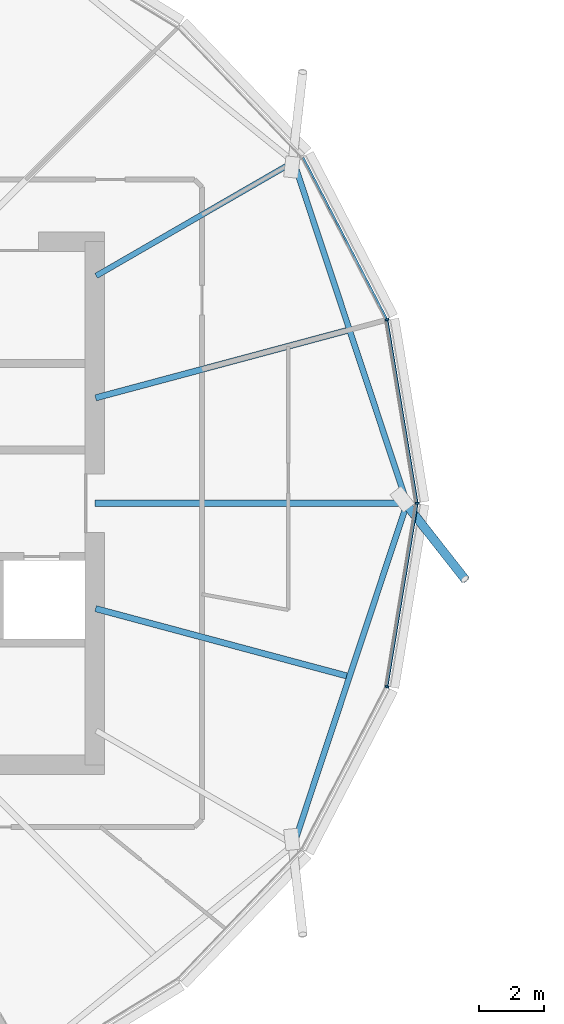
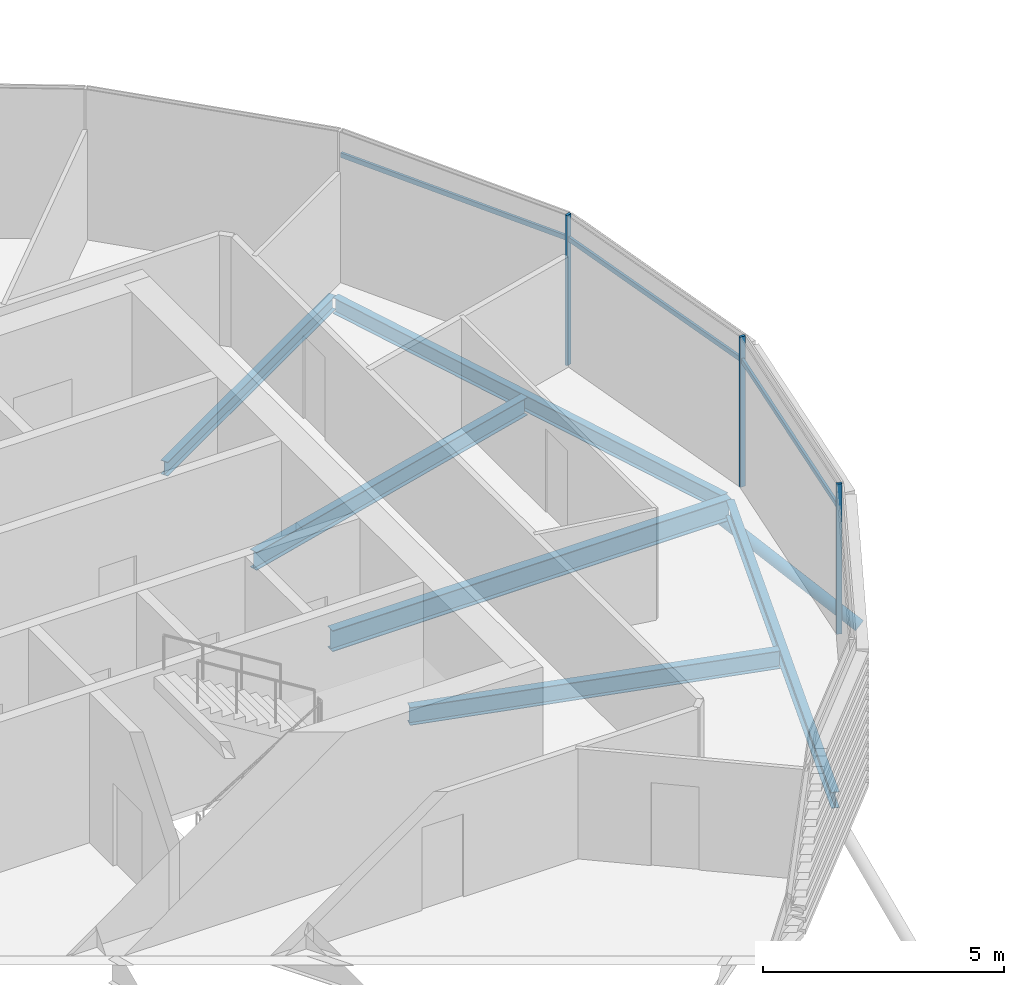
# One storey, part 8 of 36: 7 members, 6 beams, 1 element without a shape of its own.
"""IFC4 building model written with IfcOpenShell, lengths in metres."""

from ifc_helpers import new_model, si_unit, direction, frame, origin, origin_2d, place, context, subcontext, project, spatial, rectangle, hollow_circle, i_section, extrude, clip, halfspace, material, material_profile, profile_set, type_object, element, aggregate, save


model = new_model("IFC4")

# Units and contexts
model_context = context("Model", 3, precision=1e-05, world=origin(), true_north=direction((0.0, 1.0)))
body_context = subcontext(model_context, "Body", "Model", "MODEL_VIEW")
ifc_project = project(units=[si_unit("LENGTHUNIT", "METRE"), si_unit("AREAUNIT", "SQUARE_METRE"), si_unit("VOLUMEUNIT", "CUBIC_METRE"), si_unit("PLANEANGLEUNIT", "RADIAN"), si_unit("MASSUNIT", "GRAM", prefix="KILO")], contexts=[model_context])

# Site, building, storey
site_placement = place(None, origin())
site = spatial("IfcSite", under=ifc_project, at=site_placement, CompositionType="ELEMENT")
building_placement = place(site_placement, origin())
building = spatial("IfcBuilding", under=site, at=building_placement, Name="Rimbun Link Towers", CompositionType="ELEMENT")
storey_placement = place(building_placement, frame((0.0, 0.0, 189.300048828125)))
storey = spatial("IfcBuildingStorey", under=building, at=storey_placement, Name="L46", CompositionType="ELEMENT", Elevation=189.300048828125)

# Curtain wall, members
ifc_material_1 = material(Name="Aluminium 6063-T6 and low-iron glass", Category="aluminium")
curtain_wall_type = type_object("IfcCurtainWallType", Name="CW1-Z3 unitised vision wall (zone 3)", PredefinedType="NOTDEFINED", material=ifc_material_1)
curtain_wall_placement = place(storey_placement, origin())
curtain_wall = element("IfcCurtainWall", 1, at=curtain_wall_placement, inside=storey, type_object=curtain_wall_type, Name="CW1 L46 T1", PredefinedType="NOTDEFINED")
ifc_material_2 = material(Name="Aluminium 6063-T6", Category="aluminium")
ifc_material_profile_1 = material_profile(ifc_material_2, rectangle(XDim=0.1201171875, YDim=0.06005859375, at=origin_2d()), Name="MULLION 60X120")
ifc_profile_set_1 = profile_set([ifc_material_profile_1], Name="Aluminium 6063-T6")
member_type_1 = type_object("IfcMemberType", Name="CW1 mullion 60X120", PredefinedType="MULLION", material=ifc_profile_set_1)
member_1_placement = place(storey_placement, frame((-10.81201171875, 5.61376953125, 0.0), z_axis=(0.0, 0.0, 1.0), x_axis=(0.94916191526, 0.31478827586, 0.0)))
member_1 = element("IfcMember", 2, at=member_1_placement, type_object=member_type_1, Name="CW1 mullion", PredefinedType="MULLION", context=body_context, shape_type="SweptSolid", body=[
    extrude(rectangle(XDim=0.1201171875, YDim=0.06005859375, at=origin_2d()), origin(), (0.0, 0.0, 1.0), 3.800048828125),
])
member_2_placement = place(storey_placement, frame((-9.888916015625, 0.0, 0.0), z_axis=(0.0, 0.0, 1.0), x_axis=(1.0, 0.0, 0.0)))
member_2 = element("IfcMember", 3, at=member_2_placement, type_object=member_type_1, Name="CW1 mullion", PredefinedType="MULLION", context=body_context, shape_type="SweptSolid", body=[
    extrude(rectangle(XDim=0.1201171875, YDim=0.06005859375, at=origin_2d()), origin(), (0.0, 0.0, 1.0), 3.800048828125),
])
member_3_placement = place(storey_placement, frame((-10.81201171875, -5.61376953125, 0.0), z_axis=(0.0, 0.0, 1.0), x_axis=(0.94916191526, -0.31478827586, 0.0)))
member_3 = element("IfcMember", 4, at=member_3_placement, type_object=member_type_1, Name="CW1 mullion", PredefinedType="MULLION", context=body_context, shape_type="SweptSolid", body=[
    extrude(rectangle(XDim=0.1201171875, YDim=0.06005859375, at=origin_2d()), origin(), (0.0, 0.0, 1.0), 3.800048828125),
])
ifc_material_3 = material(Name="Aluminium 6063-T6", Category="aluminium")
ifc_material_profile_2 = material_profile(ifc_material_3, rectangle(XDim=0.06005859375, YDim=0.1201171875, at=origin_2d()), Name="TRANSOM 60X120")
ifc_profile_set_2 = profile_set([ifc_material_profile_2], Name="Aluminium 6063-T6")
member_type_2 = type_object("IfcMemberType", Name="CW1 transom 60X120", PredefinedType="USERDEFINED", material=ifc_profile_set_2)
member_4_placement = place(storey_placement, frame((-10.806884765625, 5.57470703125, 3.199951171875), z_axis=(0.162239106326, -0.986751474475, 0.0), x_axis=(0.986751474475, 0.162239106326, 0.0)))
member_4 = element("IfcMember", 5, at=member_4_placement, type_object=member_type_2, Name="CW1 transom", ObjectType="TRANSOM", PredefinedType="USERDEFINED", context=body_context, shape_type="SweptSolid", body=[
    extrude(rectangle(XDim=0.06005859375, YDim=0.1201171875, at=origin_2d()), origin(), (0.0, 0.0, 1.0), 5.60986328125),
])
member_5_placement = place(storey_placement, frame((-13.377685546875, 10.569580078125, 3.199951171875), z_axis=(0.459542776941, -0.888155637352, 0.0), x_axis=(0.888155637352, 0.459542776941, 0.0)))
member_5 = element("IfcMember", 6, at=member_5_placement, type_object=member_type_2, Name="CW1 transom", ObjectType="TRANSOM", PredefinedType="USERDEFINED", context=body_context, shape_type="SweptSolid", body=[
    extrude(rectangle(XDim=0.06005859375, YDim=0.1201171875, at=origin_2d()), origin(), (0.0, 0.0, 1.0), 5.541015625),
])
member_6_placement = place(storey_placement, frame((-9.896728515625, -0.0390625, 3.199951171875), z_axis=(-0.162239106326, -0.986751474475, 0.0), x_axis=(0.986751474475, -0.162239106326, 0.0)))
member_6 = element("IfcMember", 7, at=member_6_placement, type_object=member_type_2, Name="CW1 transom", ObjectType="TRANSOM", PredefinedType="USERDEFINED", context=body_context, shape_type="SweptSolid", body=[
    extrude(rectangle(XDim=0.06005859375, YDim=0.1201171875, at=origin_2d()), origin(), (0.0, 0.0, 1.0), 5.60986328125),
])
aggregate(curtain_wall, [member_1, member_2, member_3, member_4, member_5, member_6])

# Member
ifc_material_4 = material(Name="Steel S355J2H", Category="steel")
ifc_material_profile_3 = material_profile(ifc_material_4, hollow_circle(Radius=0.136474609375, WallThickness=0.012451171875, at=origin_2d()), Name="CHS 273x12.5")
ifc_profile_set_3 = profile_set([ifc_material_profile_3], Name="Steel S355J2H")
member_type_3 = type_object("IfcMemberType", Name="Floor edge link CHS 273x12.5", PredefinedType="BRACE", material=ifc_profile_set_3)
member_7_placement = place(storey_placement, frame((-10.25244140625, 0.0, -0.79931640625), z_axis=(0.524668858377, -0.668423357131, -0.527193327624), x_axis=(0.786616061761, 0.617442443779, 0.0)))
element("IfcMember", 8, at=member_7_placement, inside=storey, type_object=member_type_3, Name="Floor edge link T1 L46 00", PredefinedType="BRACE", context=body_context, shape_type="Clipping", body=[
    clip(extrude(hollow_circle(Radius=0.136474609375, WallThickness=0.012451171875, at=origin_2d()), frame((0.0, 0.0, -0.458984375)), (0.0, 0.0, 1.0), 3.9404296875), halfspace(frame((0.0, 0.0, -0.216552734375), z_axis=(0.0, 0.849745370866, -0.527193327624)), False)),
])

# Beams
ifc_material_5 = material(Name="Steel S355J2", Category="steel")
ifc_material_profile_4 = material_profile(ifc_material_5, i_section(OverallWidth=0.17138671875, OverallDepth=0.35498046875, WebThickness=0.00732421875, FlangeThickness=0.011474609375, at=origin_2d()), Name="UB 356x171x51")
ifc_profile_set_4 = profile_set([ifc_material_profile_4], Name="Steel S355J2")
beam_type_1 = type_object("IfcBeamType", Name="UB 356x171x51", PredefinedType="BEAM", material=ifc_profile_set_4)
beam_1_placement = place(storey_placement, frame((-19.706298828125, 6.95361328125, -0.32763671875), z_axis=(0.866028783947, 0.499994145342, 0.0), x_axis=(-0.499994145342, 0.866028783947, 0.0)))
element("IfcBeam", 9, at=beam_1_placement, inside=storey, type_object=beam_type_1, Name="Radial beam T1 L46 02", PredefinedType="BEAM", context=body_context, shape_type="SweptSolid", body=[
    extrude(i_section(OverallWidth=0.17138671875, OverallDepth=0.35498046875, WebThickness=0.00732421875, FlangeThickness=0.011474609375, at=origin_2d()), origin(), (0.0, 0.0, 1.0), 6.974609375),
])
ifc_material_6 = material(Name="Steel S355J2", Category="steel")
ifc_material_profile_5 = material_profile(ifc_material_6, i_section(OverallWidth=0.177978515625, OverallDepth=0.406494140625, WebThickness=0.0078125, FlangeThickness=0.0126953125, at=origin_2d()), Name="UB 406x178x60")
ifc_profile_set_5 = profile_set([ifc_material_profile_5], Name="Steel S355J2")
beam_type_2 = type_object("IfcBeamType", Name="UB 406x178x60", PredefinedType="BEAM", material=ifc_profile_set_5)
for number, where, z_axis, x_axis, name in (
    (10, (-10.2373046875, 0.105712890625, -0.353271484375), (-0.314864361063, 0.94913667832, 0.0), (-0.94913667832, -0.314864361063, 0.0), "Edge beam T1 L46 00-02"),
    (11, (-13.637939453125, -10.356689453125, -0.353271484375), (0.314864361063, 0.94913667832, 0.0), (-0.94913667832, 0.314864361063, 0.0), "Edge beam T1 L46 22-00"),
):
    element("IfcBeam", number, at=place(storey_placement, frame(where, z_axis=z_axis, x_axis=x_axis)), inside=storey, type_object=beam_type_2, Name=name, PredefinedType="BEAM", context=body_context, shape_type="SweptSolid", body=[
        extrude(i_section(OverallWidth=0.177978515625, OverallDepth=0.406494140625, WebThickness=0.0078125, FlangeThickness=0.0126953125, at=origin_2d()), origin(), (0.0, 0.0, 1.0), 10.80029296875),
    ])
ifc_material_7 = material(Name="Steel S355J2", Category="steel")
ifc_material_profile_6 = material_profile(ifc_material_7, i_section(OverallWidth=0.18994140625, OverallDepth=0.453369140625, WebThickness=0.008544921875, FlangeThickness=0.0126953125, at=origin_2d()), Name="UB 457x191x67")
ifc_profile_set_6 = profile_set([ifc_material_profile_6], Name="Steel S355J2")
beam_type_3 = type_object("IfcBeamType", Name="UB 457x191x67", PredefinedType="BEAM", material=ifc_profile_set_6)
for number, where, z_axis, x_axis, name in (
    (12, (-19.724609375, 3.22216796875, -0.376708984375), (0.965924739595, 0.258823100664, 0.0), (-0.258823100664, 0.965924739595, 0.0), "Radial beam T1 L46 01"),
    (13, (-19.724609375, -3.22216796875, -0.376708984375), (0.965924739595, -0.258823100664, 0.0), (0.258823100664, 0.965924739595, 0.0), "Radial beam T1 L46 23"),
):
    element("IfcBeam", number, at=place(storey_placement, frame(where, z_axis=z_axis, x_axis=x_axis)), inside=storey, type_object=beam_type_3, Name=name, PredefinedType="BEAM", context=body_context, shape_type="SweptSolid", body=[
        extrude(i_section(OverallWidth=0.18994140625, OverallDepth=0.453369140625, WebThickness=0.008544921875, FlangeThickness=0.0126953125, at=origin_2d()), origin(), (0.0, 0.0, 1.0), 7.947021484375),
    ])
ifc_material_8 = material(Name="Steel S355J2", Category="steel")
ifc_material_profile_7 = material_profile(ifc_material_8, i_section(OverallWidth=0.209228515625, OverallDepth=0.533203125, WebThickness=0.010009765625, FlangeThickness=0.015625, at=origin_2d()), Name="UB 533x210x92")
ifc_profile_set_7 = profile_set([ifc_material_profile_7], Name="Steel S355J2")
beam_type_4 = type_object("IfcBeamType", Name="UB 533x210x92", PredefinedType="BEAM", material=ifc_profile_set_7)
beam_2_placement = place(storey_placement, frame((-19.7490234375, 0.0, -0.41650390625), z_axis=(1.0, 0.0, 0.0), x_axis=(0.0, 1.0, 0.0)))
element("IfcBeam", 14, at=beam_2_placement, inside=storey, type_object=beam_type_4, Name="Radial beam T1 L46 00", PredefinedType="BEAM", context=body_context, shape_type="SweptSolid", body=[
    extrude(i_section(OverallWidth=0.209228515625, OverallDepth=0.533203125, WebThickness=0.010009765625, FlangeThickness=0.015625, at=origin_2d()), origin(), (0.0, 0.0, 1.0), 9.546630859375),
])

save(model, "model.ifc")
